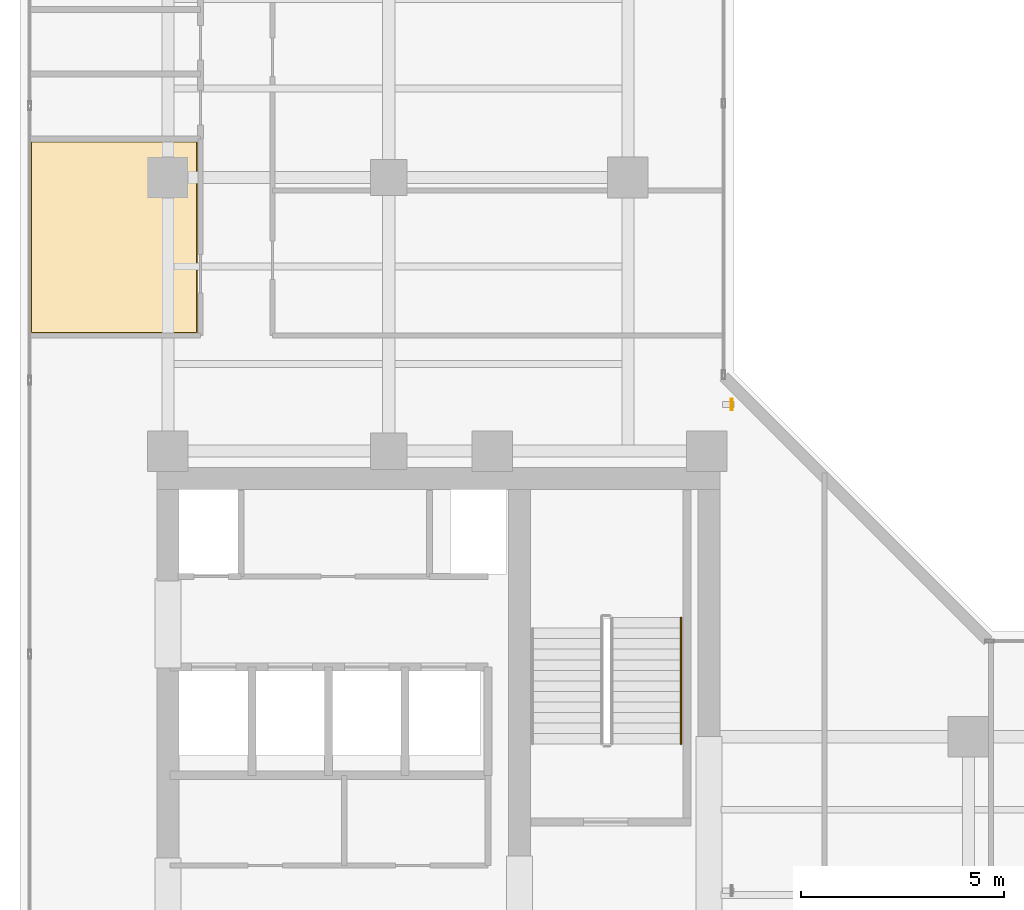
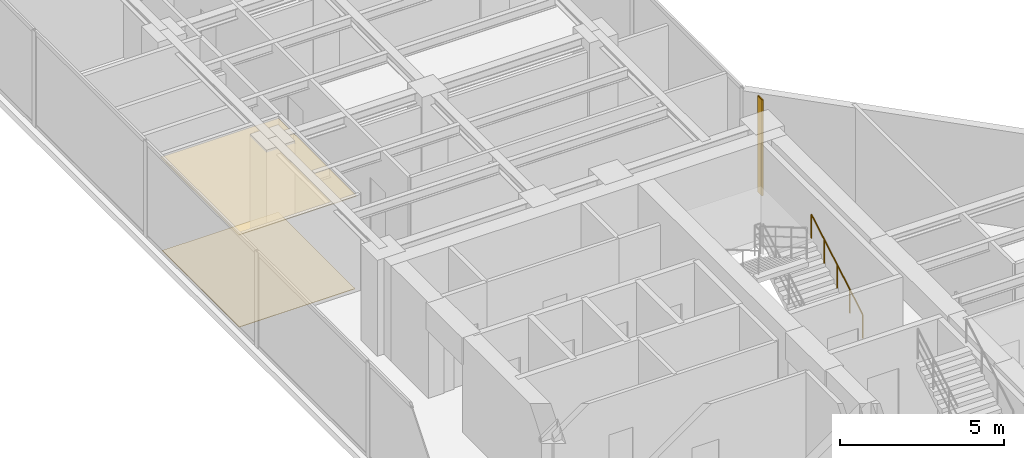
# One storey, part 22 of 23: 2 coverings, 1 railing, 1 shading device.
"""IFC4 building model written with IfcOpenShell, lengths in metres."""

from ifc_helpers import new_model, si_unit, direction, frame, origin, origin_2d, place, context, subcontext, project, spatial, polyline, hollow_rectangle, circle, outline, extrude, material, layer, layer_set, material_profile, profile_set, type_object, element, save


model = new_model("IFC4")

# Units and contexts
model_context = context("Model", 3, precision=1e-05, world=origin(), true_north=direction((0.0, 1.0)))
body_context = subcontext(model_context, "Body", "Model", "MODEL_VIEW")
ifc_project = project(units=[si_unit("LENGTHUNIT", "METRE"), si_unit("AREAUNIT", "SQUARE_METRE"), si_unit("VOLUMEUNIT", "CUBIC_METRE"), si_unit("PLANEANGLEUNIT", "RADIAN"), si_unit("MASSUNIT", "GRAM", prefix="KILO")], contexts=[model_context])

# Site, building, storey
site_placement = place(None, origin())
site = spatial("IfcSite", under=ifc_project, at=site_placement, CompositionType="ELEMENT")
building_placement = place(site_placement, origin())
building = spatial("IfcBuilding", under=site, at=building_placement, Name="Kolvaren Waterfront Exchange", CompositionType="ELEMENT")
storey_placement = place(building_placement, frame((0.0, 0.0, 234.89990234375)))
storey = spatial("IfcBuildingStorey", under=building, at=storey_placement, Name="L60", CompositionType="ELEMENT", Elevation=234.89990234375)

# Covering
ifc_material_1 = material(Name="Mineral fibre acoustic ceiling tile")
ifc_layer_1 = layer(ifc_material_1, 0.02490234375, Name="Mineral fibre acoustic ceiling tile")
ifc_layer_set_1 = layer_set([ifc_layer_1], Name="Mineral fibre acoustic ceiling tile")
covering_type_1 = type_object("IfcCoveringType", Name="ARC-CEIL-ACOUSTIC-25", PredefinedType="CEILING", material=ifc_layer_set_1)
covering_1_placement = place(storey_placement, frame((0.0, 0.0, 3.445068359375)))
element("IfcCovering", 1, at=covering_1_placement, inside=storey, type_object=covering_type_1, Name="L60 acoustic suspended ceiling 1", PredefinedType="CEILING", context=body_context, shape_type="SweptSolid", body=[
    extrude(outline(polyline([(8.18505859375, 27.344970703125), (8.18505859375, 32.10498046875), (4.044921875, 32.10498046875), (4.044921875, 27.344970703125), (8.18505859375, 27.344970703125)])), origin(), (0.0, 0.0, 1.0), 0.025146484375),
])

# Shading device
ifc_material_2 = material(Name="Anodised bronze aluminium 6063-T6", Category="aluminium")
ifc_material_profile = material_profile(ifc_material_2, hollow_rectangle(XDim=0.054931640625, YDim=0.280029296875, WallThickness=0.00439453125, at=origin_2d()), Name="BRZ-FIN-280x55x4.5")
ifc_profile_set = profile_set([ifc_material_profile], Name="Anodised bronze aluminium 6063-T6")
shading_device_type = type_object("IfcShadingDeviceType", Name="ARC-FIN-280", PredefinedType="USERDEFINED", material=ifc_profile_set)
shading_device_placement = place(storey_placement, frame((21.360107421875, 25.60009765625, 0.0), z_axis=(0.0, 0.0, 1.0), x_axis=(1.0, 0.0, 0.0)))
element("IfcShadingDevice", 2, at=shading_device_placement, inside=storey, type_object=shading_device_type, Name="L60 anodised bronze solar shading fin FIN-L60-E2", ObjectType="SOLAR FIN", PredefinedType="USERDEFINED", context=body_context, shape_type="SweptSolid", body=[
    extrude(hollow_rectangle(XDim=0.054931640625, YDim=0.280029296875, WallThickness=0.00439453125, at=origin_2d()), origin(), (0.0, 0.0, 1.0), 3.56005859375),
])

# Covering
ifc_material_3 = material(Name="Slip-resistant porcelain tile")
ifc_layer_2 = layer(ifc_material_3, 0.014892578125, Name="Slip-resistant porcelain tile")
ifc_layer_set_2 = layer_set([ifc_layer_2], Name="Slip-resistant porcelain tile")
covering_type_2 = type_object("IfcCoveringType", Name="ARC-FLR-PORC-15", PredefinedType="FLOORING", material=ifc_layer_set_2)
covering_2_placement = place(storey_placement, origin())
element("IfcCovering", 3, at=covering_2_placement, inside=storey, type_object=covering_type_2, Name="L60 floor finish 1", PredefinedType="FLOORING", context=body_context, shape_type="SweptSolid", body=[
    extrude(outline(polyline([(4.080078125, 32.070068359375), (4.080078125, 27.3798828125), (8.14990234375, 27.3798828125), (8.14990234375, 32.070068359375), (4.080078125, 32.070068359375)])), origin(), (0.0, 0.0, 1.0), 0.01513671875),
])

# Railing
ifc_material_4 = material(Name="Stainless steel 316", Category="steel")
railing_type = type_object("IfcRailingType", Name="ARC-HANDRAIL-900", PredefinedType="HANDRAIL", material=ifc_material_4)
railing_placement = place(storey_placement, frame((20.110107421875, 17.219970703125, 0.152099609375)))
element("IfcRailing", 4, at=railing_placement, inside=storey, type_object=railing_type, Name="L60 ST2 stair handrail 1", PredefinedType="HANDRAIL", context=body_context, shape_type="SweptSolid", body=[
    extrude(circle(Radius=0.02392578125, at=origin_2d()), frame((0.0, 0.0, 0.8759765625), z_axis=(0.0, 0.86330811405, 0.504677223793), x_axis=(-1.0, 0.0, 0.0)), (0.0, 0.0, 1.0), 3.6142578125),
    extrude(circle(Radius=0.02099609375, at=origin_2d()), origin(), (0.0, 0.0, 1.0), 0.851806640625),
    extrude(circle(Radius=0.02099609375, at=origin_2d()), frame((0.0, 0.780029296875, 0.4560546875)), (0.0, 0.0, 1.0), 0.851806640625),
    extrude(circle(Radius=0.02099609375, at=origin_2d()), frame((0.0, 1.56005859375, 0.912109375)), (0.0, 0.0, 1.0), 0.851806640625),
    extrude(circle(Radius=0.02099609375, at=origin_2d()), frame((0.0, 2.340087890625, 1.367919921875)), (0.0, 0.0, 1.0), 0.851806640625),
    extrude(circle(Radius=0.02099609375, at=origin_2d()), frame((0.0, 3.1201171875, 1.823974609375)), (0.0, 0.0, 1.0), 0.851806640625),
])

save(model, "model.ifc")
